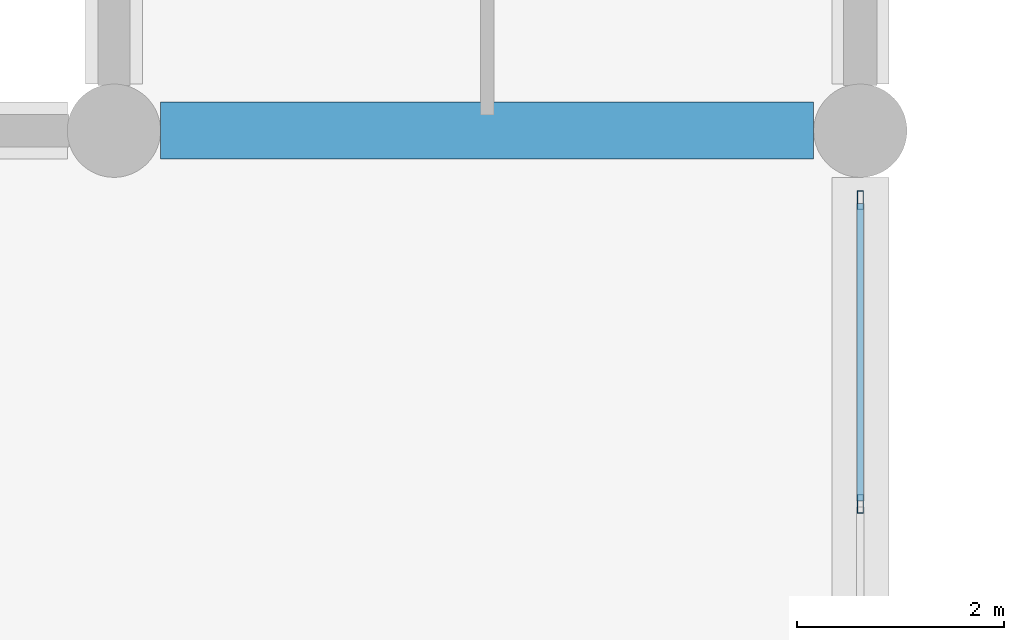
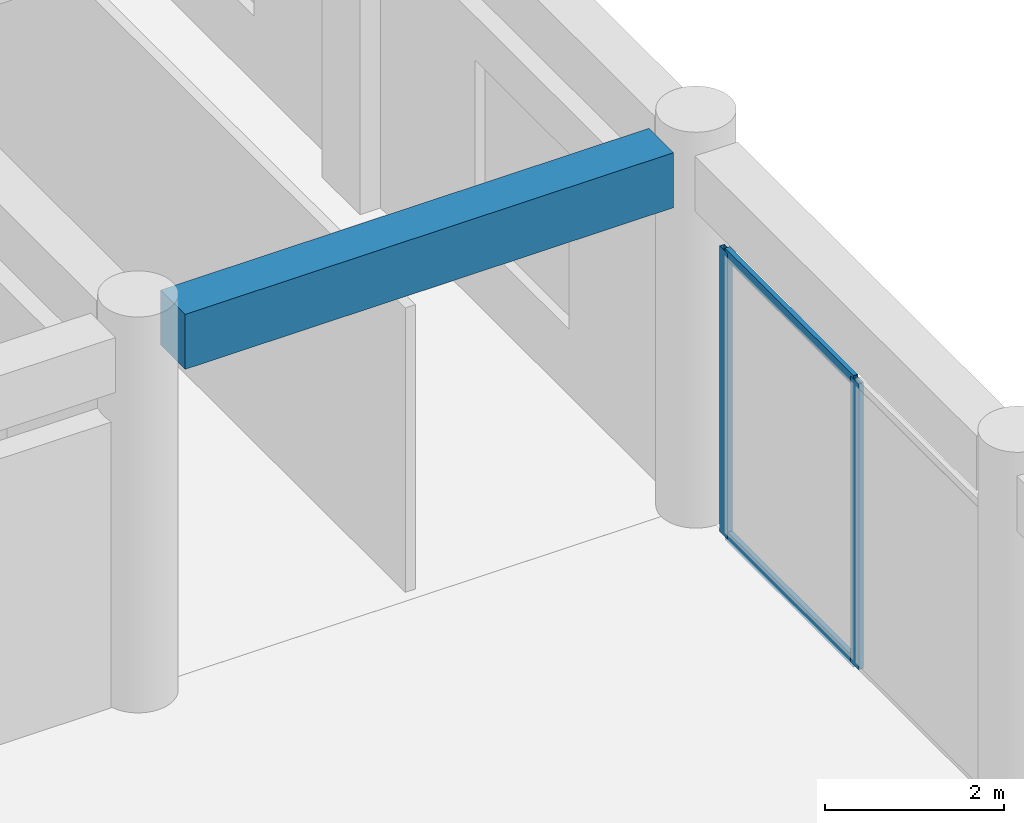
# One storey, part 21 of 56: 4 members, 1 beam, 1 element without a shape of its own.
"""IFC4 building model written with IfcOpenShell, lengths in metres."""

from ifc_helpers import new_model, si_unit, direction, frame, origin, origin_2d, place, context, subcontext, project, spatial, rectangle, hollow_rectangle, extrude, material, material_profile, profile_set, type_object, element, aggregate, save


model = new_model("IFC4")

# Units and contexts
model_context = context("Model", 3, precision=1e-05, world=origin(), true_north=direction((0.0, 1.0)))
body_context = subcontext(model_context, "Body", "Model", "MODEL_VIEW")
ifc_project = project(units=[si_unit("LENGTHUNIT", "METRE"), si_unit("AREAUNIT", "SQUARE_METRE"), si_unit("VOLUMEUNIT", "CUBIC_METRE"), si_unit("PLANEANGLEUNIT", "RADIAN"), si_unit("MASSUNIT", "GRAM", prefix="KILO")], contexts=[model_context])

# Site, building, storey
site_placement = place(None, origin())
site = spatial("IfcSite", under=ifc_project, at=site_placement, CompositionType="ELEMENT")
building_placement = place(site_placement, origin())
building = spatial("IfcBuilding", under=site, at=building_placement, Name="Kazehaya Institute of Natural Sciences", CompositionType="ELEMENT")
storey_placement = place(building_placement, origin())
storey = spatial("IfcBuildingStorey", under=building, at=storey_placement, Name="L00", CompositionType="ELEMENT", Elevation=0.0)

# Beam
ifc_material_1 = material(Name="Concrete Fc36", Category="concrete")
ifc_material_profile_1 = material_profile(ifc_material_1, rectangle(XDim=0.550048828125, YDim=0.75, at=origin_2d()), Name="RC-550x750")
ifc_profile_set_1 = profile_set([ifc_material_profile_1], Name="Concrete Fc36")
beam_type = type_object("IfcBeamType", Name="BM-G-550x750", PredefinedType="BEAM", material=ifc_profile_set_1)
beam_placement = place(storey_placement, frame((105.449951171875, 64.39990234375, 4.7548828125), z_axis=(1.0, 0.0, 0.0), x_axis=(0.0, 1.0, 0.0)))
element("IfcBeam", 1, at=beam_placement, inside=storey, type_object=beam_type, Name="L00 primary X girder BMX-L00-1050-644", PredefinedType="BEAM", context=body_context, shape_type="SweptSolid", body=[
    extrude(rectangle(XDim=0.550048828125, YDim=0.75, at=origin_2d()), origin(), (0.0, 0.0, 1.0), 6.300048828125),
])

# Curtain wall, members
ifc_material_2 = material(Name="Aluminium alloy A6063S-T5", Category="aluminium")
curtain_wall_type = type_object("IfcCurtainWallType", Name="CW-SYS-01", PredefinedType="NOTDEFINED", material=ifc_material_2)
curtain_wall_placement = place(storey_placement, origin())
curtain_wall = element("IfcCurtainWall", 2, at=curtain_wall_placement, inside=storey, type_object=curtain_wall_type, Name="L00 unitised curtain wall CW-L00-014", PredefinedType="NOTDEFINED")
ifc_material_profile_2 = material_profile(ifc_material_2, hollow_rectangle(XDim=0.06005859375, YDim=0.179931640625, WallThickness=0.00390625, at=origin_2d()), Name="ALU-60x180x4")
ifc_profile_set_2 = profile_set([ifc_material_profile_2], Name="Aluminium alloy A6063S-T5")
member_type_1 = type_object("IfcMemberType", Name="CWM-180", PredefinedType="MULLION", material=ifc_profile_set_2)
member_1_placement = place(storey_placement, frame((112.199951171875, 63.72998046875, 0.0), z_axis=(0.0, 0.0, 1.0), x_axis=(1.0, 0.0, 0.0)))
member_1 = element("IfcMember", 3, at=member_1_placement, type_object=member_type_1, Name="CW01 mullion 1", PredefinedType="MULLION", context=body_context, shape_type="SweptSolid", body=[
    extrude(hollow_rectangle(XDim=0.06005859375, YDim=0.179931640625, WallThickness=0.00390625, at=origin_2d()), origin(), (0.0, 0.0, 1.0), 3.89990234375),
])
member_2_placement = place(storey_placement, frame((112.199951171875, 60.800048828125, 0.0), z_axis=(0.0, 0.0, 1.0), x_axis=(1.0, 0.0, 0.0)))
member_2 = element("IfcMember", 4, at=member_2_placement, type_object=member_type_1, Name="CW01 mullion 2", PredefinedType="MULLION", context=body_context, shape_type="SweptSolid", body=[
    extrude(hollow_rectangle(XDim=0.06005859375, YDim=0.179931640625, WallThickness=0.00390625, at=origin_2d()), origin(), (0.0, 0.0, 1.0), 3.89990234375),
])
ifc_material_profile_3 = material_profile(ifc_material_2, hollow_rectangle(XDim=0.06005859375, YDim=0.139892578125, WallThickness=0.00341796875, at=origin_2d()), Name="ALU-60x140x3.5")
ifc_profile_set_3 = profile_set([ifc_material_profile_3], Name="Aluminium alloy A6063S-T5")
member_type_2 = type_object("IfcMemberType", Name="CWT-140", PredefinedType="USERDEFINED", material=ifc_profile_set_3)
member_3_placement = place(storey_placement, frame((112.199951171875, 63.699951171875, 0.030029296875), z_axis=(0.0, -1.0, 0.0), x_axis=(1.0, 0.0, 0.0)))
member_3 = element("IfcMember", 5, at=member_3_placement, type_object=member_type_2, Name="CW01 transom 1.1", ObjectType="TRANSOM", PredefinedType="USERDEFINED", context=body_context, shape_type="SweptSolid", body=[
    extrude(hollow_rectangle(XDim=0.06005859375, YDim=0.139892578125, WallThickness=0.00341796875, at=origin_2d()), origin(), (0.0, 0.0, 1.0), 2.869873046875),
])
member_4_placement = place(storey_placement, frame((112.199951171875, 63.699951171875, 3.8701171875), z_axis=(0.0, -1.0, 0.0), x_axis=(1.0, 0.0, 0.0)))
member_4 = element("IfcMember", 6, at=member_4_placement, type_object=member_type_2, Name="CW01 transom 1.2", ObjectType="TRANSOM", PredefinedType="USERDEFINED", context=body_context, shape_type="SweptSolid", body=[
    extrude(hollow_rectangle(XDim=0.06005859375, YDim=0.139892578125, WallThickness=0.00341796875, at=origin_2d()), origin(), (0.0, 0.0, 1.0), 2.869873046875),
])
aggregate(curtain_wall, [member_1, member_2, member_3, member_4])

save(model, "model.ifc")
